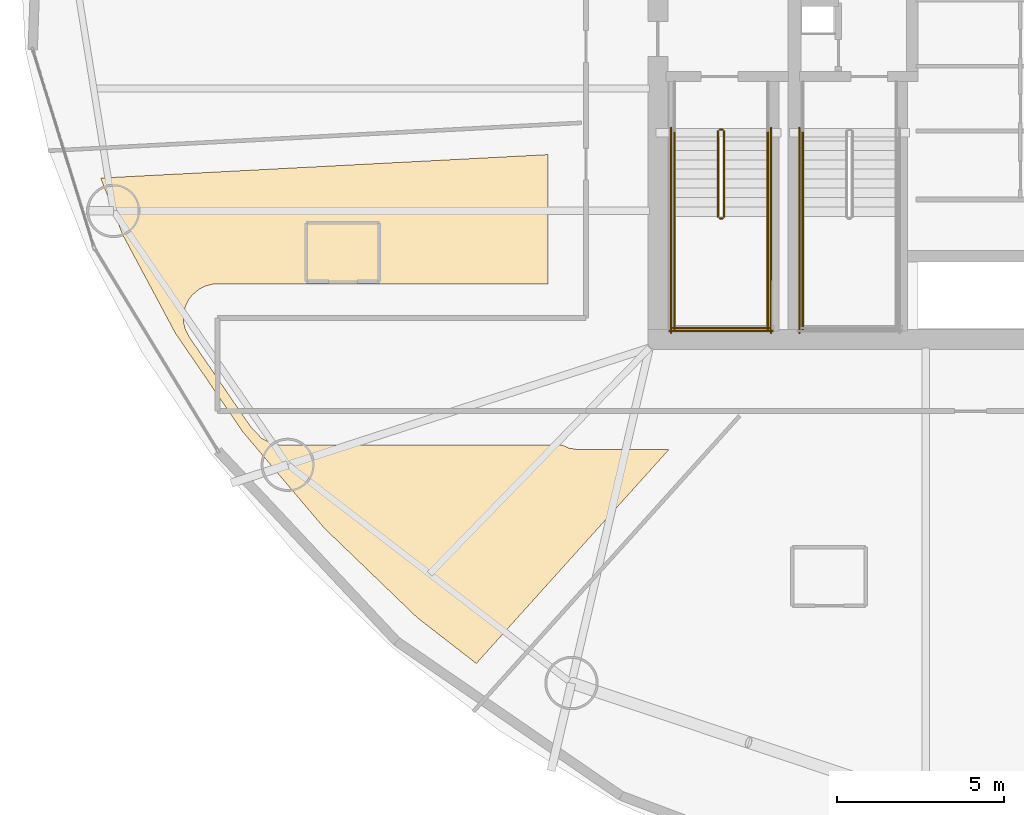
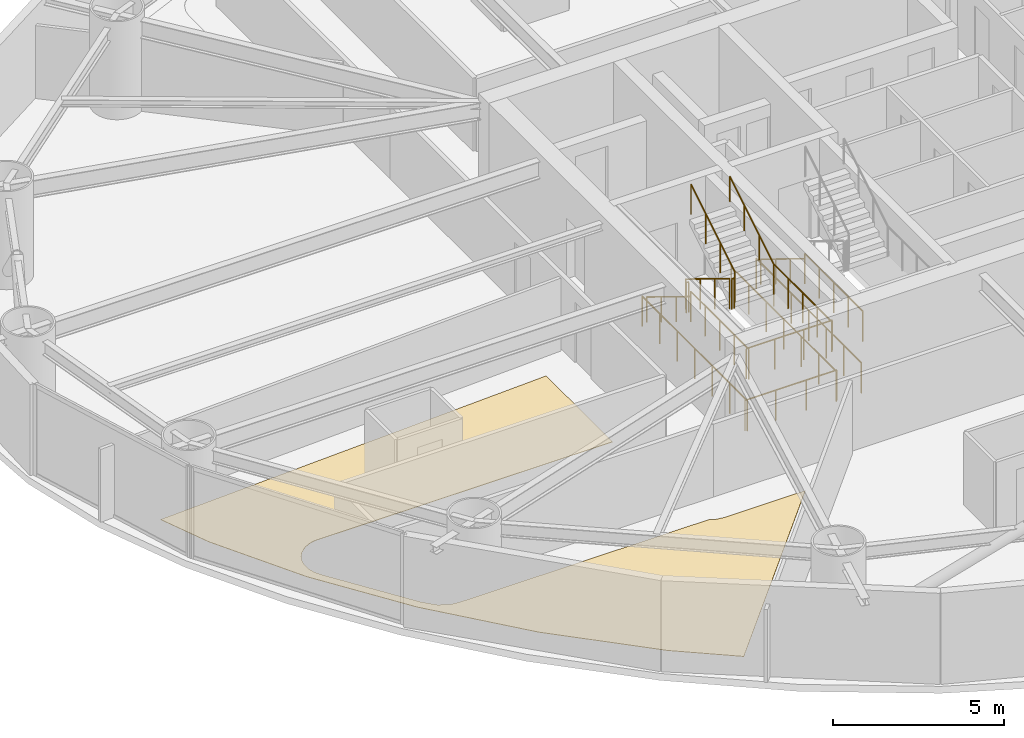
# One storey, part 27 of 30: 15 railings, 1 covering.
"""IFC4 building model written with IfcOpenShell, lengths in metres."""

from ifc_helpers import new_model, si_unit, direction, frame, origin, origin_2d, place, context, subcontext, project, spatial, polyline, circle, outline, extrude, material, layer, layer_set, type_object, element, save


model = new_model("IFC4")

# Units and contexts
model_context = context("Model", 3, precision=1e-05, world=origin(), true_north=direction((0.0, 1.0)))
body_context = subcontext(model_context, "Body", "Model", "MODEL_VIEW")
ifc_project = project(units=[si_unit("LENGTHUNIT", "METRE"), si_unit("AREAUNIT", "SQUARE_METRE"), si_unit("VOLUMEUNIT", "CUBIC_METRE"), si_unit("PLANEANGLEUNIT", "RADIAN"), si_unit("MASSUNIT", "GRAM", prefix="KILO")], contexts=[model_context])

# Site, building, storey
site_placement = place(None, origin())
site = spatial("IfcSite", under=ifc_project, at=site_placement, CompositionType="ELEMENT")
building_placement = place(site_placement, origin())
building = spatial("IfcBuilding", under=site, at=building_placement, Name="Bramvorn Convention Spire", CompositionType="ELEMENT")
storey_placement = place(building_placement, frame((0.0, 0.0, 86.89990234375)))
storey = spatial("IfcBuildingStorey", under=building, at=storey_placement, Name="L20", CompositionType="ELEMENT", Elevation=86.89990234375)

# Covering
ifc_material_1 = material(Name="Solution-Dyed Wool Broadloom Hospitality Carpet", Category="textile")
ifc_layer = layer(ifc_material_1, 0.014892578125)
ifc_layer_set = layer_set([ifc_layer], Name="Solution-Dyed Wool Broadloom Hospitality Carpet - FLR-CARPET-15")
covering_type = type_object("IfcCoveringType", Name="FLR-CARPET-15", PredefinedType="FLOORING", material=ifc_layer_set)
covering_placement = place(storey_placement, origin())
element("IfcCovering", 1, at=covering_placement, inside=storey, type_object=covering_type, Name="Hotel Suite 2005 wool broadloom carpet", PredefinedType="FLOORING", context=body_context, shape_type="SweptSolid", body=[
    extrude(outline(polyline([(19.781494140625, 10.452392578125), (21.552734375, 9.07861328125), (27.334716796875, 15.5), (24.60009765625, 15.5), (24.338623046875, 15.538818359375), (24.13623046875, 15.6298828125), (15.722900390625, 15.6298828125), (15.473388671875, 15.6611328125), (15.119384765625, 15.827880859375), (14.774658203125, 16.193359375), (12.939453125, 18.874267578125), (12.82666015625, 19.091796875), (12.773193359375, 19.297607421875), (12.770751953125, 19.586669921875), (12.8212890625, 19.793212890625), (12.906982421875, 19.974853515625), (13.027099609375, 20.13623046875), (13.249755859375, 20.3203125), (13.44189453125, 20.41162109375), (13.636962890625, 20.459716796875), (23.699951171875, 20.469970703125), (23.699951171875, 24.349365234375), (10.281005859375, 23.64599609375), (10.9384765625, 21.9482421875), (12.523193359375, 18.987060546875), (14.546875, 16.027587890625), (16.978271484375, 13.152099609375), (19.781494140625, 10.452392578125)])), origin(), (0.0, 0.0, 1.0), 0.01513671875),
])

# Railings
ifc_material_2 = material(Name="Painted Steel Balustrade & Guardrail", Category="steel")
railing_type_1 = type_object("IfcRailingType", Name="RL-STAIR-GUARD-1100", PredefinedType="GUARDRAIL", material=ifc_material_2)
railing_1_placement = place(storey_placement, frame((28.81005859375, 25.050048828125, 0.175048828125)))
element("IfcRailing", 2, at=railing_1_placement, inside=storey, type_object=railing_type_1, Name="L20 ST1 stair guard 1", PredefinedType="GUARDRAIL", context=body_context, shape_type="SweptSolid", body=[
    extrude(circle(Radius=0.02392578125, at=origin_2d()), frame((0.0, 0.0, 1.076171875), z_axis=(0.0, -0.852173129349, 0.523259933127), x_axis=(1.0, 0.0, 0.0)), (0.0, 0.0, 1.0), 3.009765625),
    extrude(circle(Radius=0.02099609375, at=origin_2d()), origin(), (0.0, 0.0, 1.0), 1.052001953125),
    extrude(circle(Radius=0.02099609375, at=origin_2d()), frame((0.0, -0.85498046875, 0.52490234375)), (0.0, 0.0, 1.0), 1.052001953125),
    extrude(circle(Radius=0.02099609375, at=origin_2d()), frame((0.0, -1.7099609375, 1.050048828125)), (0.0, 0.0, 1.0), 1.052001953125),
    extrude(circle(Radius=0.02099609375, at=origin_2d()), frame((0.0, -2.56494140625, 1.574951171875)), (0.0, 0.0, 1.0), 1.052001953125),
])
railing_2_placement = place(storey_placement, frame((28.860107421875, 22.43505859375, 1.75)))
element("IfcRailing", 3, at=railing_2_placement, inside=storey, type_object=railing_type_1, Name="L20 ST1 stair guard 2", PredefinedType="GUARDRAIL", context=body_context, shape_type="SweptSolid", body=[
    extrude(circle(Radius=0.02392578125, at=origin_2d()), frame((0.0, 0.0, 1.076171875), z_axis=(1.0, 0.0, 0.0), x_axis=(0.0, 1.0, 0.0)), (0.0, 0.0, 1.0), 0.079833984375),
    extrude(circle(Radius=0.02099609375, at=origin_2d()), origin(), (0.0, 0.0, 1.0), 1.052001953125),
    extrude(circle(Radius=0.02099609375, at=origin_2d()), frame((0.079833984375, 0.0, 0.0)), (0.0, 0.0, 1.0), 1.052001953125),
])
for number, where, name in (
    (4, (27.5, 22.485107421875, 1.75), "L20 ST1 stair guard 3"),
    (5, (30.300048828125, 22.485107421875, 1.75), "L20 ST1 stair guard 4"),
):
    element("IfcRailing", number, at=place(storey_placement, frame(where)), inside=storey, type_object=railing_type_1, Name=name, PredefinedType="GUARDRAIL", context=body_context, shape_type="SweptSolid", body=[
        extrude(circle(Radius=0.02392578125, at=origin_2d()), frame((0.0, 0.0, 1.076171875), z_axis=(0.0, -1.0, 0.0), x_axis=(1.0, 0.0, 0.0)), (0.0, 0.0, 1.0), 3.385009765625),
        extrude(circle(Radius=0.02099609375, at=origin_2d()), origin(), (0.0, 0.0, 1.0), 1.052001953125),
        extrude(circle(Radius=0.02099609375, at=origin_2d()), frame((0.0, -0.84619140625, 0.0)), (0.0, 0.0, 1.0), 1.052001953125),
        extrude(circle(Radius=0.02099609375, at=origin_2d()), frame((0.0, -1.6923828125, 0.0)), (0.0, 0.0, 1.0), 1.052001953125),
        extrude(circle(Radius=0.02099609375, at=origin_2d()), frame((0.0, -2.538818359375, 0.0)), (0.0, 0.0, 1.0), 1.052001953125),
        extrude(circle(Radius=0.02099609375, at=origin_2d()), frame((0.0, -3.385009765625, 0.0)), (0.0, 0.0, 1.0), 1.052001953125),
    ])
railing_3_placement = place(storey_placement, frame((27.449951171875, 19.14990234375, 1.75)))
element("IfcRailing", 6, at=railing_3_placement, inside=storey, type_object=railing_type_1, Name="L20 ST1 stair guard 5", PredefinedType="GUARDRAIL", context=body_context, shape_type="SweptSolid", body=[
    extrude(circle(Radius=0.02392578125, at=origin_2d()), frame((0.0, 0.0, 1.076171875), z_axis=(1.0, 0.0, 0.0), x_axis=(0.0, 1.0, 0.0)), (0.0, 0.0, 1.0), 2.900146484375),
    extrude(circle(Radius=0.02099609375, at=origin_2d()), origin(), (0.0, 0.0, 1.0), 1.052001953125),
    extrude(circle(Radius=0.02099609375, at=origin_2d()), frame((0.966796875, 0.0, 0.0)), (0.0, 0.0, 1.0), 1.052001953125),
    extrude(circle(Radius=0.02099609375, at=origin_2d()), frame((1.933349609375, 0.0, 0.0)), (0.0, 0.0, 1.0), 1.052001953125),
    extrude(circle(Radius=0.02099609375, at=origin_2d()), frame((2.900146484375, 0.0, 0.0)), (0.0, 0.0, 1.0), 1.052001953125),
])
railing_4_placement = place(storey_placement, frame((28.989990234375, 22.485107421875, 1.925048828125)))
element("IfcRailing", 7, at=railing_4_placement, inside=storey, type_object=railing_type_1, Name="L20 ST1 stair guard 6", PredefinedType="GUARDRAIL", context=body_context, shape_type="SweptSolid", body=[
    extrude(circle(Radius=0.02392578125, at=origin_2d()), frame((0.0, 0.0, 1.076171875), z_axis=(0.0, 0.852173129349, 0.523259933127), x_axis=(-1.0, 0.0, 0.0)), (0.0, 0.0, 1.0), 3.009765625),
    extrude(circle(Radius=0.02099609375, at=origin_2d()), origin(), (0.0, 0.0, 1.0), 1.052001953125),
    extrude(circle(Radius=0.02099609375, at=origin_2d()), frame((0.0, 0.85498046875, 0.52490234375)), (0.0, 0.0, 1.0), 1.052001953125),
    extrude(circle(Radius=0.02099609375, at=origin_2d()), frame((0.0, 1.7099609375, 1.050048828125)), (0.0, 0.0, 1.0), 1.052001953125),
    extrude(circle(Radius=0.02099609375, at=origin_2d()), frame((0.0, 2.56494140625, 1.574951171875)), (0.0, 0.0, 1.0), 1.052001953125),
])
railing_5_placement = place(storey_placement, frame((28.860107421875, 25.10009765625, 0.0)))
element("IfcRailing", 8, at=railing_5_placement, inside=storey, type_object=railing_type_1, Name="L20 ST1 stair guard 7", PredefinedType="GUARDRAIL", context=body_context, shape_type="SweptSolid", body=[
    extrude(circle(Radius=0.02392578125, at=origin_2d()), frame((0.0, 0.0, 1.076171875), z_axis=(1.0, 0.0, 0.0), x_axis=(0.0, 1.0, 0.0)), (0.0, 0.0, 1.0), 0.079833984375),
    extrude(circle(Radius=0.02099609375, at=origin_2d()), origin(), (0.0, 0.0, 1.0), 1.052001953125),
    extrude(circle(Radius=0.02099609375, at=origin_2d()), frame((0.079833984375, 0.0, 0.0)), (0.0, 0.0, 1.0), 1.052001953125),
])
for number, where, name in (
    (9, (27.39990234375, 25.14990234375, 0.0), "L20 ST1 stair guard 10"),
    (10, (30.39990234375, 25.14990234375, 0.0), "L20 ST1 stair guard 11"),
):
    element("IfcRailing", number, at=place(storey_placement, frame(where)), inside=storey, type_object=railing_type_1, Name=name, PredefinedType="GUARDRAIL", context=body_context, shape_type="SweptSolid", body=[
        extrude(circle(Radius=0.02392578125, at=origin_2d()), frame((0.0, 0.0, 1.076171875), z_axis=(0.0, -1.0, 0.0), x_axis=(1.0, 0.0, 0.0)), (0.0, 0.0, 1.0), 6.14990234375),
        extrude(circle(Radius=0.02099609375, at=origin_2d()), origin(), (0.0, 0.0, 1.0), 1.052001953125),
        extrude(circle(Radius=0.02099609375, at=origin_2d()), frame((0.0, -1.02490234375, 0.0)), (0.0, 0.0, 1.0), 1.052001953125),
        extrude(circle(Radius=0.02099609375, at=origin_2d()), frame((0.0, -2.050048828125, 0.0)), (0.0, 0.0, 1.0), 1.052001953125),
        extrude(circle(Radius=0.02099609375, at=origin_2d()), frame((0.0, -3.074951171875, 0.0)), (0.0, 0.0, 1.0), 1.052001953125),
        extrude(circle(Radius=0.02099609375, at=origin_2d()), frame((0.0, -4.099853515625, 0.0)), (0.0, 0.0, 1.0), 1.052001953125),
        extrude(circle(Radius=0.02099609375, at=origin_2d()), frame((0.0, -5.125, 0.0)), (0.0, 0.0, 1.0), 1.052001953125),
        extrude(circle(Radius=0.02099609375, at=origin_2d()), frame((0.0, -6.14990234375, 0.0)), (0.0, 0.0, 1.0), 1.052001953125),
    ])
railing_6_placement = place(storey_placement, frame((27.35009765625, 19.050048828125, 0.0)))
element("IfcRailing", 11, at=railing_6_placement, inside=storey, type_object=railing_type_1, Name="L20 ST1 stair guard 12", PredefinedType="GUARDRAIL", context=body_context, shape_type="SweptSolid", body=[
    extrude(circle(Radius=0.02392578125, at=origin_2d()), frame((0.0, 0.0, 1.076171875), z_axis=(1.0, 0.0, 0.0), x_axis=(0.0, 1.0, 0.0)), (0.0, 0.0, 1.0), 3.099853515625),
    extrude(circle(Radius=0.02099609375, at=origin_2d()), origin(), (0.0, 0.0, 1.0), 1.052001953125),
    extrude(circle(Radius=0.02099609375, at=origin_2d()), frame((1.033203125, 0.0, 0.0)), (0.0, 0.0, 1.0), 1.052001953125),
    extrude(circle(Radius=0.02099609375, at=origin_2d()), frame((2.066650390625, 0.0, 0.0)), (0.0, 0.0, 1.0), 1.052001953125),
    extrude(circle(Radius=0.02099609375, at=origin_2d()), frame((3.099853515625, 0.0, 0.0)), (0.0, 0.0, 1.0), 1.052001953125),
])
railing_7_placement = place(storey_placement, frame((31.35009765625, 22.485107421875, 1.75)))
element("IfcRailing", 12, at=railing_7_placement, inside=storey, type_object=railing_type_1, Name="L20 ST3 stair guard 3", PredefinedType="GUARDRAIL", context=body_context, shape_type="SweptSolid", body=[
    extrude(circle(Radius=0.02392578125, at=origin_2d()), frame((0.0, 0.0, 1.076171875), z_axis=(0.0, -1.0, 0.0), x_axis=(1.0, 0.0, 0.0)), (0.0, 0.0, 1.0), 3.385009765625),
    extrude(circle(Radius=0.02099609375, at=origin_2d()), origin(), (0.0, 0.0, 1.0), 1.052001953125),
    extrude(circle(Radius=0.02099609375, at=origin_2d()), frame((0.0, -0.84619140625, 0.0)), (0.0, 0.0, 1.0), 1.052001953125),
    extrude(circle(Radius=0.02099609375, at=origin_2d()), frame((0.0, -1.6923828125, 0.0)), (0.0, 0.0, 1.0), 1.052001953125),
    extrude(circle(Radius=0.02099609375, at=origin_2d()), frame((0.0, -2.538818359375, 0.0)), (0.0, 0.0, 1.0), 1.052001953125),
    extrude(circle(Radius=0.02099609375, at=origin_2d()), frame((0.0, -3.385009765625, 0.0)), (0.0, 0.0, 1.0), 1.052001953125),
])
railing_8_placement = place(storey_placement, frame((31.25, 25.14990234375, 0.0)))
element("IfcRailing", 13, at=railing_8_placement, inside=storey, type_object=railing_type_1, Name="L20 ST3 stair guard 10", PredefinedType="GUARDRAIL", context=body_context, shape_type="SweptSolid", body=[
    extrude(circle(Radius=0.02392578125, at=origin_2d()), frame((0.0, 0.0, 1.076171875), z_axis=(0.0, -1.0, 0.0), x_axis=(1.0, 0.0, 0.0)), (0.0, 0.0, 1.0), 6.14990234375),
    extrude(circle(Radius=0.02099609375, at=origin_2d()), origin(), (0.0, 0.0, 1.0), 1.052001953125),
    extrude(circle(Radius=0.02099609375, at=origin_2d()), frame((0.0, -1.02490234375, 0.0)), (0.0, 0.0, 1.0), 1.052001953125),
    extrude(circle(Radius=0.02099609375, at=origin_2d()), frame((0.0, -2.050048828125, 0.0)), (0.0, 0.0, 1.0), 1.052001953125),
    extrude(circle(Radius=0.02099609375, at=origin_2d()), frame((0.0, -3.074951171875, 0.0)), (0.0, 0.0, 1.0), 1.052001953125),
    extrude(circle(Radius=0.02099609375, at=origin_2d()), frame((0.0, -4.099853515625, 0.0)), (0.0, 0.0, 1.0), 1.052001953125),
    extrude(circle(Radius=0.02099609375, at=origin_2d()), frame((0.0, -5.125, 0.0)), (0.0, 0.0, 1.0), 1.052001953125),
    extrude(circle(Radius=0.02099609375, at=origin_2d()), frame((0.0, -6.14990234375, 0.0)), (0.0, 0.0, 1.0), 1.052001953125),
])
ifc_material_3 = material(Name="Brushed Bronze Tubular Handrail", Category="aluminium")
railing_type_2 = type_object("IfcRailingType", Name="RL-STAIR-HR-920", PredefinedType="HANDRAIL", material=ifc_material_3)
railing_9_placement = place(storey_placement, frame((27.5, 25.050048828125, 0.175048828125)))
element("IfcRailing", 14, at=railing_9_placement, inside=storey, type_object=railing_type_2, Name="L20 ST1 stair handrail 1", PredefinedType="HANDRAIL", context=body_context, shape_type="SweptSolid", body=[
    extrude(circle(Radius=0.02392578125, at=origin_2d()), frame((0.0, 0.0, 0.89599609375), z_axis=(0.0, -0.852173129349, 0.523259933127), x_axis=(1.0, 0.0, 0.0)), (0.0, 0.0, 1.0), 3.009765625),
    extrude(circle(Radius=0.02099609375, at=origin_2d()), origin(), (0.0, 0.0, 1.0), 0.871826171875),
    extrude(circle(Radius=0.02099609375, at=origin_2d()), frame((0.0, -0.85498046875, 0.52490234375)), (0.0, 0.0, 1.0), 0.871826171875),
    extrude(circle(Radius=0.02099609375, at=origin_2d()), frame((0.0, -1.7099609375, 1.050048828125)), (0.0, 0.0, 1.0), 0.871826171875),
    extrude(circle(Radius=0.02099609375, at=origin_2d()), frame((0.0, -2.56494140625, 1.574951171875)), (0.0, 0.0, 1.0), 0.871826171875),
])
railing_10_placement = place(storey_placement, frame((30.300048828125, 22.485107421875, 1.925048828125)))
element("IfcRailing", 15, at=railing_10_placement, inside=storey, type_object=railing_type_2, Name="L20 ST1 stair handrail 2", PredefinedType="HANDRAIL", context=body_context, shape_type="SweptSolid", body=[
    extrude(circle(Radius=0.02392578125, at=origin_2d()), frame((0.0, 0.0, 0.89599609375), z_axis=(0.0, 0.852173129349, 0.523259933127), x_axis=(-1.0, 0.0, 0.0)), (0.0, 0.0, 1.0), 3.009765625),
    extrude(circle(Radius=0.02099609375, at=origin_2d()), origin(), (0.0, 0.0, 1.0), 0.871826171875),
    extrude(circle(Radius=0.02099609375, at=origin_2d()), frame((0.0, 0.85498046875, 0.52490234375)), (0.0, 0.0, 1.0), 0.871826171875),
    extrude(circle(Radius=0.02099609375, at=origin_2d()), frame((0.0, 1.7099609375, 1.050048828125)), (0.0, 0.0, 1.0), 0.871826171875),
    extrude(circle(Radius=0.02099609375, at=origin_2d()), frame((0.0, 2.56494140625, 1.574951171875)), (0.0, 0.0, 1.0), 0.871826171875),
])
railing_11_placement = place(storey_placement, frame((31.35009765625, 25.050048828125, 0.175048828125)))
element("IfcRailing", 16, at=railing_11_placement, inside=storey, type_object=railing_type_2, Name="L20 ST3 stair handrail 1", PredefinedType="HANDRAIL", context=body_context, shape_type="SweptSolid", body=[
    extrude(circle(Radius=0.02392578125, at=origin_2d()), frame((0.0, 0.0, 0.89599609375), z_axis=(0.0, -0.852173129349, 0.523259933127), x_axis=(1.0, 0.0, 0.0)), (0.0, 0.0, 1.0), 3.009765625),
    extrude(circle(Radius=0.02099609375, at=origin_2d()), origin(), (0.0, 0.0, 1.0), 0.871826171875),
    extrude(circle(Radius=0.02099609375, at=origin_2d()), frame((0.0, -0.85498046875, 0.52490234375)), (0.0, 0.0, 1.0), 0.871826171875),
    extrude(circle(Radius=0.02099609375, at=origin_2d()), frame((0.0, -1.7099609375, 1.050048828125)), (0.0, 0.0, 1.0), 0.871826171875),
    extrude(circle(Radius=0.02099609375, at=origin_2d()), frame((0.0, -2.56494140625, 1.574951171875)), (0.0, 0.0, 1.0), 0.871826171875),
])

save(model, "model.ifc")
